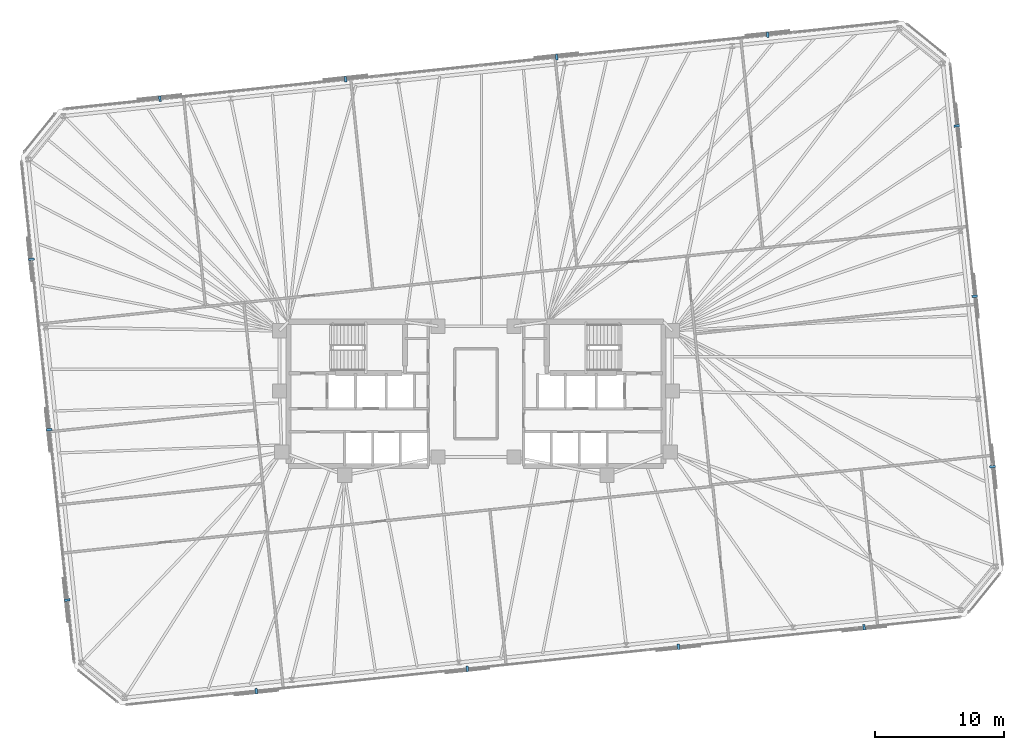
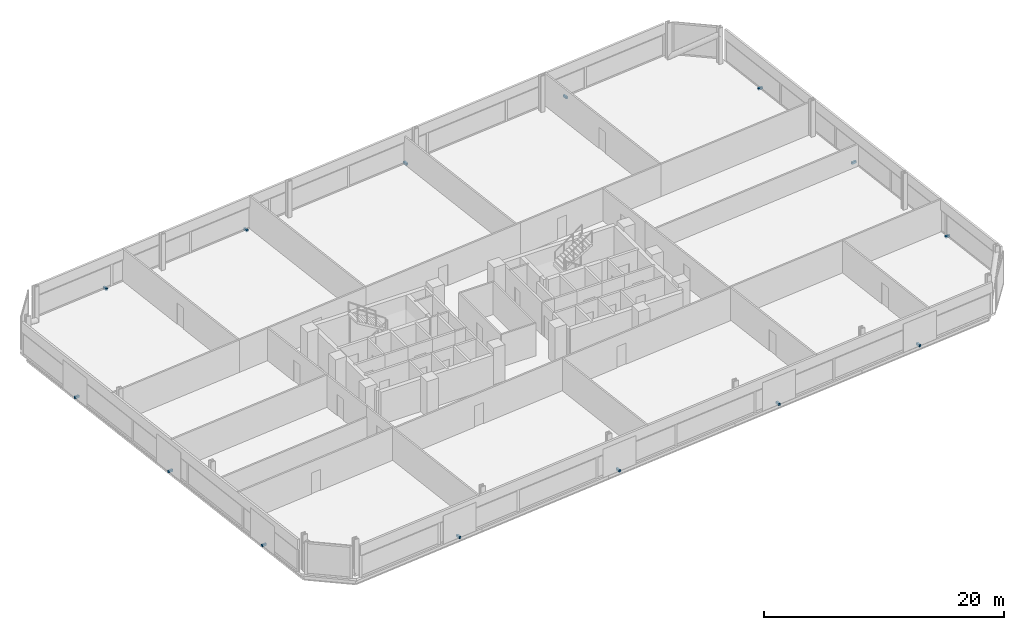
# One storey, part 17 of 18: 14 discrete accessories.
"""IFC4 building model written with IfcOpenShell, lengths in metres."""

from ifc_helpers import new_model, si_unit, direction, frame, origin, origin_2d, place, context, subcontext, project, spatial, rectangle, extrude, material, type_object, element, save


model = new_model("IFC4")

# Units and contexts
model_context = context("Model", 3, precision=1e-05, world=origin(), true_north=direction((0.0, 1.0)))
body_context = subcontext(model_context, "Body", "Model", "MODEL_VIEW")
ifc_project = project(units=[si_unit("LENGTHUNIT", "METRE"), si_unit("AREAUNIT", "SQUARE_METRE"), si_unit("VOLUMEUNIT", "CUBIC_METRE"), si_unit("PLANEANGLEUNIT", "RADIAN"), si_unit("MASSUNIT", "GRAM", prefix="KILO")], contexts=[model_context])

# Site, building, storey
site_placement = place(None, origin())
site = spatial("IfcSite", under=ifc_project, at=site_placement, CompositionType="ELEMENT")
building_placement = place(site_placement, origin())
building = spatial("IfcBuilding", under=site, at=building_placement, Name="Menara Jurai Vektor", CompositionType="ELEMENT")
storey_placement = place(building_placement, frame((0.0, 0.0, 139.199951171875)))
storey = spatial("IfcBuildingStorey", under=building, at=storey_placement, Name="L35", CompositionType="ELEMENT", Elevation=139.199951171875)

# Discrete accessories
ifc_material = material(Name="Steel S355", Category="steel")
discrete_accessory_type = type_object("IfcDiscreteAccessoryType", Name="ENV-ACC-BRACKET", PredefinedType="BRACKET", material=ifc_material)
for number, where, z_axis, x_axis, name in (
    (1, (-17.052001953125, -23.07470703125, -0.1298828125), (0.0, 0.0, 1.0), (0.994521895368, 0.104528463268, 0.0), "Solar Screen Stand-Off Bracket L35-S01"),
    (2, (-0.667236328125, -21.3525390625, -0.1298828125), (0.0, 0.0, 1.0), (0.994521895368, 0.104528463268, 0.0), "Solar Screen Stand-Off Bracket L35-S02"),
    (3, (15.717529296875, -19.63037109375, -0.1298828125), (0.0, 0.0, 1.0), (0.994521895368, 0.104528463268, 0.0), "Solar Screen Stand-Off Bracket L35-S03"),
    (4, (30.13623046875, -18.114990234375, -0.1298828125), (0.0, 0.0, 1.0), (0.994521895368, 0.104528463268, 0.0), "Solar Screen Stand-Off Bracket L35-S04"),
    (5, (40.105712890625, -5.648193359375, -0.1298828125), (0.0, 0.0, 1.0), (-0.104528463268, 0.994521895368, 0.0), "Solar Screen Stand-Off Bracket L35-S05"),
    (6, (38.71533203125, 7.5791015625, -0.1298828125), (0.0, 0.0, 1.0), (-0.104528463268, 0.994521895368, 0.0), "Solar Screen Stand-Off Bracket L35-S06"),
    (7, (37.3251953125, 20.80615234375, -0.1298828125), (0.0, 0.0, 1.0), (-0.104528463268, 0.994521895368, 0.0), "Solar Screen Stand-Off Bracket L35-S07"),
    (8, (22.65185546875, 27.87451171875, -0.1298828125), (0.0, 0.0, 1.0), (-0.994521895368, -0.104528463268, 0.0), "Solar Screen Stand-Off Bracket L35-S08"),
    (9, (6.26708984375, 26.152587890625, -0.1298828125), (0.0, 0.0, 1.0), (-0.994521895368, -0.104528463268, 0.0), "Solar Screen Stand-Off Bracket L35-S09"),
    (10, (-10.11767578125, 24.430419921875, -0.1298828125), (0.0, 0.0, 1.0), (-0.994521895368, -0.104528463268, 0.0), "Solar Screen Stand-Off Bracket L35-S10"),
    (11, (-24.5361328125, 22.9150390625, -0.1298828125), (0.0, 0.0, 1.0), (-0.994521895368, -0.104528463268, 0.0), "Solar Screen Stand-Off Bracket L35-S11"),
    (12, (-34.505615234375, 10.447998046875, -0.1298828125), (0.0, 0.0, 1.0), (0.104528463268, -0.994521895368, 0.0), "Solar Screen Stand-Off Bracket L35-S12"),
    (13, (-33.115478515625, -2.779052734375, -0.1298828125), (0.0, 0.0, 1.0), (0.104528463268, -0.994521895368, 0.0), "Solar Screen Stand-Off Bracket L35-S13"),
    (14, (-31.72509765625, -16.006103515625, -0.1298828125), (0.0, 0.0, 1.0), (0.104528463268, -0.994521895368, 0.0), "Solar Screen Stand-Off Bracket L35-S14"),
):
    element("IfcDiscreteAccessory", number, at=place(storey_placement, frame(where, z_axis=z_axis, x_axis=x_axis)), inside=storey, type_object=discrete_accessory_type, Name=name, PredefinedType="BRACKET", context=body_context, shape_type="SweptSolid", body=[
        extrude(rectangle(XDim=0.179931640625, YDim=0.43994140625, at=origin_2d()), origin(), (0.0, 0.0, 1.0), 0.219970703125),
    ])

save(model, "model.ifc")
